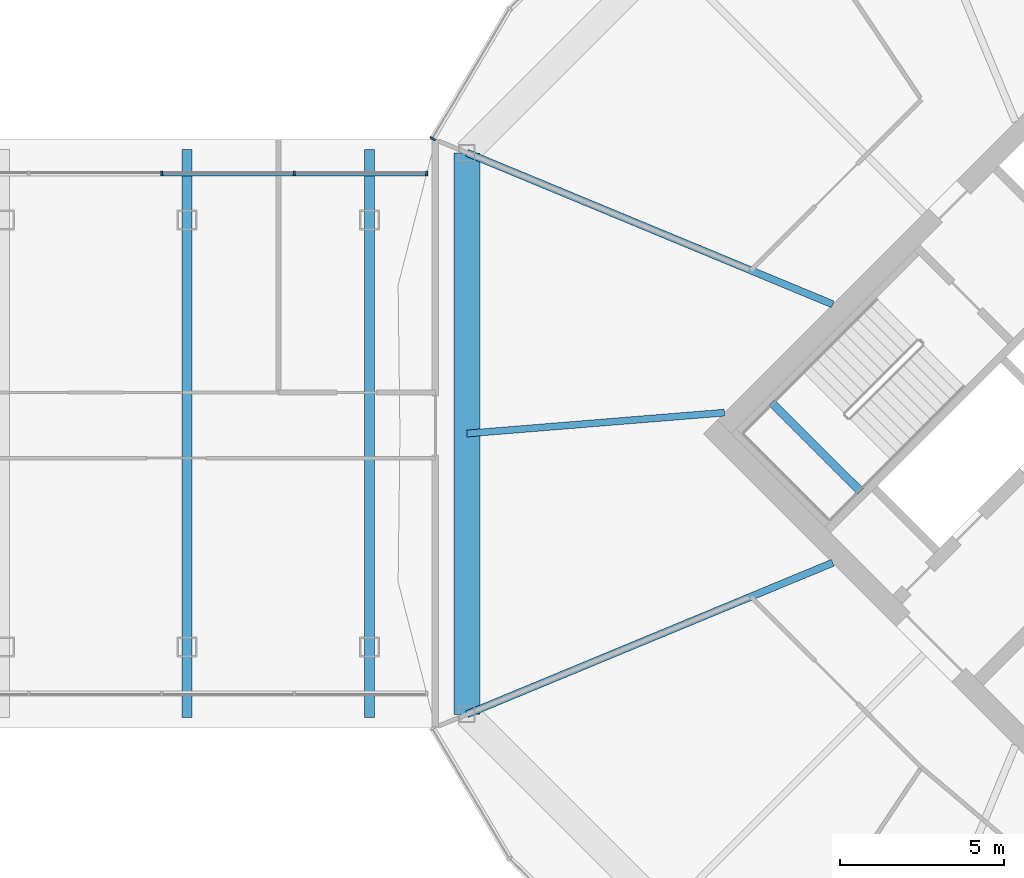
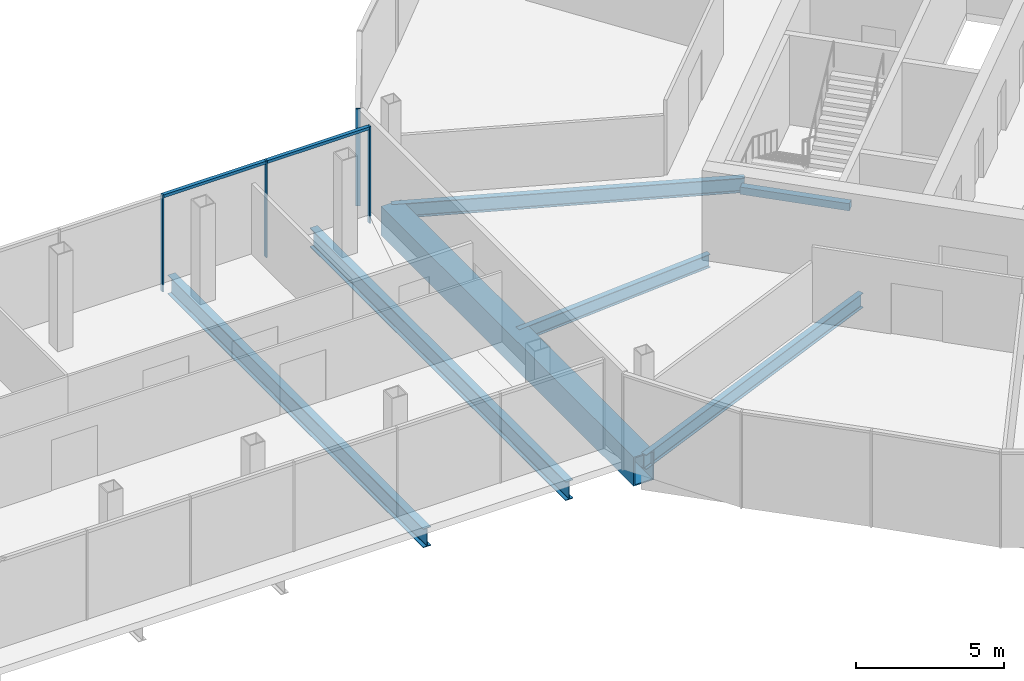
# One storey, part 13 of 25: 7 beams, 6 members, 2 elements without a shape of their own.
"""IFC4 building model written with IfcOpenShell, lengths in metres."""

from ifc_helpers import new_model, si_unit, direction, frame, origin, origin_2d, place, context, subcontext, project, spatial, rectangle, hollow_rectangle, i_section, extrude, material, material_profile, profile_set, type_object, element, aggregate, save


model = new_model("IFC4")

# Units and contexts
model_context = context("Model", 3, precision=1e-05, world=origin(), true_north=direction((0.0, 1.0)))
body_context = subcontext(model_context, "Body", "Model", "MODEL_VIEW")
ifc_project = project(units=[si_unit("LENGTHUNIT", "METRE"), si_unit("AREAUNIT", "SQUARE_METRE"), si_unit("VOLUMEUNIT", "CUBIC_METRE"), si_unit("PLANEANGLEUNIT", "RADIAN"), si_unit("MASSUNIT", "GRAM", prefix="KILO")], contexts=[model_context])

# Site, building, storey
site_placement = place(None, origin())
site = spatial("IfcSite", under=ifc_project, at=site_placement, CompositionType="ELEMENT")
building_placement = place(site_placement, origin())
building = spatial("IfcBuilding", under=site, at=building_placement, Name="Ogive Gate Towers", CompositionType="ELEMENT")
storey_placement = place(building_placement, frame((0.0, 0.0, 140.800048828125)))
storey = spatial("IfcBuildingStorey", under=building, at=storey_placement, Name="L33", CompositionType="ELEMENT", Elevation=140.800048828125)

# Beams
ifc_material_1 = material(Name="Steel SM460", Category="steel")
ifc_material_profile_1 = material_profile(ifc_material_1, i_section(OverallWidth=0.300048828125, OverallDepth=0.7900390625, WebThickness=0.014892578125, FlangeThickness=0.028076171875, FilletRadius=0.030029296875, at=origin_2d()), Name="HE 800 A")
ifc_profile_set_1 = profile_set([ifc_material_profile_1], Name="Steel SM460")
beam_type_1 = type_object("IfcBeamType", Name="Block floor beam HE 800 A", PredefinedType="BEAM", material=ifc_profile_set_1)
for number, where, z_axis, x_axis, name in (
    (1, (6.8388671875, -8.647216796875, -0.695068359375), (0.0, 1.0, 0.0), (-1.0, 0.0, 0.0), "BR/L33/SBM004"),
    (2, (12.3955078125, -8.647216796875, -0.695068359375), (0.0, 1.0, 0.0), (-1.0, 0.0, 0.0), "BR/L33/SBM005"),
):
    element("IfcBeam", number, at=place(storey_placement, frame(where, z_axis=z_axis, x_axis=x_axis)), inside=storey, type_object=beam_type_1, Name=name, PredefinedType="BEAM", context=body_context, shape_type="SweptSolid", body=[
        extrude(i_section(OverallWidth=0.300048828125, OverallDepth=0.7900390625, WebThickness=0.014892578125, FlangeThickness=0.028076171875, FilletRadius=0.030029296875, at=origin_2d()), origin(), (0.0, 0.0, 1.0), 17.29443359375),
    ])
ifc_material_profile_2 = material_profile(ifc_material_1, hollow_rectangle(XDim=0.800048828125, YDim=1.199951171875, WallThickness=0.050048828125, at=origin_2d()), Name="BX 1200x800x50")
ifc_profile_set_2 = profile_set([ifc_material_profile_2], Name="Steel SM460")
beam_type_2 = type_object("IfcBeamType", Name="Edge girder BX 1200x800x50", PredefinedType="BEAM", material=ifc_profile_set_2)
beam_1_placement = place(storey_placement, frame((15.360595703125, 8.549072265625, -0.900146484375), z_axis=(0.0, -1.0, 0.0), x_axis=(1.0, 0.0, 0.0)))
element("IfcBeam", 3, at=beam_1_placement, inside=storey, type_object=beam_type_2, Name="T2/L33/SBM024", PredefinedType="BEAM", context=body_context, shape_type="SweptSolid", body=[
    extrude(hollow_rectangle(XDim=0.800048828125, YDim=1.199951171875, WallThickness=0.050048828125, at=origin_2d()), origin(), (0.0, 0.0, 1.0), 17.09814453125),
])

# Curtain wall, members
ifc_material_2 = material(Name="Pale metal aluminium", Category="aluminium")
curtain_wall_type_1 = type_object("IfcCurtainWallType", Name="Gate block facade", PredefinedType="NOTDEFINED", material=ifc_material_2)
curtain_wall_1_placement = place(storey_placement, origin())
curtain_wall_1 = element("IfcCurtainWall", 4, at=curtain_wall_1_placement, inside=storey, type_object=curtain_wall_type_1, Name="CW3 BR ECW02", PredefinedType="NOTDEFINED")
ifc_material_profile_3 = material_profile(ifc_material_2, rectangle(XDim=0.139892578125, YDim=0.06005859375, at=origin_2d()), Name="60 x 140 aluminium box")
ifc_profile_set_3 = profile_set([ifc_material_profile_3], Name="Pale metal aluminium")
member_type_1 = type_object("IfcMemberType", Name="Gate block facade mullion 60 x 140", PredefinedType="MULLION", material=ifc_profile_set_3)
member_1_placement = place(storey_placement, frame((14.143310546875, 7.9169921875, -0.300048828125), z_axis=(0.0, 0.0, 1.0), x_axis=(0.0, 1.0, 0.0)))
member_1 = element("IfcMember", 5, at=member_1_placement, type_object=member_type_1, Name="CW3 mullion", PredefinedType="MULLION", context=body_context, shape_type="SweptSolid", body=[
    extrude(rectangle(XDim=0.139892578125, YDim=0.06005859375, at=origin_2d()), origin(), (0.0, 0.0, 1.0), 4.0),
])
member_2_placement = place(storey_placement, frame((10.102294921875, 7.9169921875, -0.300048828125), z_axis=(0.0, 0.0, 1.0), x_axis=(0.0, 1.0, 0.0)))
member_2 = element("IfcMember", 6, at=member_2_placement, type_object=member_type_1, Name="CW3 mullion", PredefinedType="MULLION", context=body_context, shape_type="SweptSolid", body=[
    extrude(rectangle(XDim=0.139892578125, YDim=0.06005859375, at=origin_2d()), origin(), (0.0, 0.0, 1.0), 4.0),
])
member_3_placement = place(storey_placement, frame((6.061279296875, 7.9169921875, -0.300048828125), z_axis=(0.0, 0.0, 1.0), x_axis=(0.0, 1.0, 0.0)))
member_3 = element("IfcMember", 7, at=member_3_placement, type_object=member_type_1, Name="CW3 mullion", PredefinedType="MULLION", context=body_context, shape_type="SweptSolid", body=[
    extrude(rectangle(XDim=0.139892578125, YDim=0.06005859375, at=origin_2d()), origin(), (0.0, 0.0, 1.0), 4.0),
])
ifc_material_profile_4 = material_profile(ifc_material_2, rectangle(XDim=0.139892578125, YDim=0.1201171875, at=origin_2d()), Name="120 x 140 aluminium box")
ifc_profile_set_4 = profile_set([ifc_material_profile_4], Name="Pale metal aluminium")
member_type_2 = type_object("IfcMemberType", Name="Gate block facade transom 120 x 140", PredefinedType="USERDEFINED", material=ifc_profile_set_4)
member_4_placement = place(storey_placement, frame((14.11328125, 7.9169921875, 3.639892578125), z_axis=(-1.0, 0.0, 0.0), x_axis=(0.0, -1.0, 0.0)))
member_4 = element("IfcMember", 8, at=member_4_placement, type_object=member_type_2, Name="CW3 transom", ObjectType="TRANSOM", PredefinedType="USERDEFINED", context=body_context, shape_type="SweptSolid", body=[
    extrude(rectangle(XDim=0.139892578125, YDim=0.1201171875, at=origin_2d()), origin(), (0.0, 0.0, 1.0), 3.98095703125),
])
member_5_placement = place(storey_placement, frame((10.072509765625, 7.9169921875, 3.639892578125), z_axis=(-1.0, 0.0, 0.0), x_axis=(0.0, -1.0, 0.0)))
member_5 = element("IfcMember", 9, at=member_5_placement, type_object=member_type_2, Name="CW3 transom", ObjectType="TRANSOM", PredefinedType="USERDEFINED", context=body_context, shape_type="SweptSolid", body=[
    extrude(rectangle(XDim=0.139892578125, YDim=0.1201171875, at=origin_2d()), origin(), (0.0, 0.0, 1.0), 3.981201171875),
])
aggregate(curtain_wall_1, [member_1, member_2, member_4, member_3, member_5])

# Beams
ifc_material_3 = material(Name="Concrete C40/50", Category="concrete")
ifc_material_profile_5 = material_profile(ifc_material_3, rectangle(XDim=0.25, YDim=0.300048828125, at=origin_2d()), Name="RC 250x300")
ifc_profile_set_5 = profile_set([ifc_material_profile_5], Name="Concrete C40/50")
beam_type_3 = type_object("IfcBeamType", Name="Landing bearer RC 250x300", PredefinedType="BEAM", material=ifc_profile_set_5)
beam_2_placement = place(storey_placement, frame((24.64111328125, 0.94482421875, 1.64990234375), z_axis=(0.707138693938, -0.707074866995, 0.0), x_axis=(0.707074866995, 0.707138693938, 0.0)))
element("IfcBeam", 10, at=beam_2_placement, inside=storey, type_object=beam_type_3, Name="T2 L33 stair 1 landing bearer 1", PredefinedType="BEAM", context=body_context, shape_type="SweptSolid", body=[
    extrude(rectangle(XDim=0.25, YDim=0.300048828125, at=origin_2d()), origin(), (0.0, 0.0, 1.0), 3.824951171875),
])
ifc_material_4 = material(Name="Steel SM355", Category="steel")
ifc_material_profile_6 = material_profile(ifc_material_4, i_section(OverallWidth=0.2099609375, OverallDepth=0.550048828125, WebThickness=0.010986328125, FlangeThickness=0.01708984375, FilletRadius=0.02392578125, at=origin_2d()), Name="IPE 550")
ifc_profile_set_6 = profile_set([ifc_material_profile_6], Name="Steel SM355")
beam_type_4 = type_object("IfcBeamType", Name="Radial floor beam IPE 550", PredefinedType="BEAM", material=ifc_profile_set_6)
beam_3_placement = place(storey_placement, frame((23.201416015625, 0.636474609375, -0.574951171875), z_axis=(-0.996721544062, -0.080908365468, 0.0), x_axis=(0.080908365468, -0.996721544062, 0.0)))
element("IfcBeam", 11, at=beam_3_placement, inside=storey, type_object=beam_type_4, Name="T2/L33/SBM016", PredefinedType="BEAM", context=body_context, shape_type="SweptSolid", body=[
    extrude(i_section(OverallWidth=0.2099609375, OverallDepth=0.550048828125, WebThickness=0.010986328125, FlangeThickness=0.01708984375, FilletRadius=0.02392578125, at=origin_2d()), origin(), (0.0, 0.0, 1.0), 7.86669921875),
])
ifc_material_profile_7 = material_profile(ifc_material_4, i_section(OverallWidth=0.219970703125, OverallDepth=0.60009765625, WebThickness=0.011962890625, FlangeThickness=0.01904296875, FilletRadius=0.02392578125, at=origin_2d()), Name="IPE 600")
ifc_profile_set_7 = profile_set([ifc_material_profile_7], Name="Steel SM355")
beam_type_5 = type_object("IfcBeamType", Name="Radial floor beam IPE 600", PredefinedType="BEAM", material=ifc_profile_set_7)
for number, where, z_axis, x_axis, name in (
    (12, (26.5, -3.93505859375, -0.60009765625), (-0.923881839184, -0.382677863518, 0.0), (0.382677863518, -0.923881839184, 0.0), "T2/L33/SBM001"),
    (13, (26.5, 3.93505859375, -0.60009765625), (-0.923881839184, 0.382677863518, 0.0), (-0.382677863518, -0.923881839184, 0.0), "T2/L33/SBM015"),
):
    element("IfcBeam", number, at=place(storey_placement, frame(where, z_axis=z_axis, x_axis=x_axis)), inside=storey, type_object=beam_type_5, Name=name, PredefinedType="BEAM", context=body_context, shape_type="SweptSolid", body=[
        extrude(i_section(OverallWidth=0.219970703125, OverallDepth=0.60009765625, WebThickness=0.011962890625, FlangeThickness=0.01904296875, FilletRadius=0.02392578125, at=origin_2d()), origin(), (0.0, 0.0, 1.0), 12.05712890625),
    ])

# Curtain wall, member
curtain_wall_type_2 = type_object("IfcCurtainWallType", Name="Tower unitised wall, high zone", PredefinedType="NOTDEFINED", material=ifc_material_2)
curtain_wall_2_placement = place(storey_placement, origin())
curtain_wall_2 = element("IfcCurtainWall", 14, at=curtain_wall_2_placement, inside=storey, type_object=curtain_wall_type_2, Name="CW2 T2 ECW04", PredefinedType="NOTDEFINED")
ifc_material_profile_8 = material_profile(ifc_material_2, rectangle(XDim=0.179931640625, YDim=0.06005859375, at=origin_2d()), Name="60 x 180 aluminium box")
ifc_profile_set_8 = profile_set([ifc_material_profile_8], Name="Pale metal aluminium")
member_type_3 = type_object("IfcMemberType", Name="Tower unitised wall, high zone mullion 60 x 180", PredefinedType="MULLION", material=ifc_profile_set_8)
member_6_placement = place(storey_placement, frame((14.31494140625, 8.980712890625, -0.300048828125), z_axis=(0.0, 0.0, 1.0), x_axis=(-0.860546505685, 0.509371879429, 0.0)))
member_6 = element("IfcMember", 15, at=member_6_placement, type_object=member_type_3, Name="CW2 mullion", PredefinedType="MULLION", context=body_context, shape_type="SweptSolid", body=[
    extrude(rectangle(XDim=0.179931640625, YDim=0.06005859375, at=origin_2d()), origin(), (0.0, 0.0, 1.0), 4.0),
])
aggregate(curtain_wall_2, [member_6])

save(model, "model.ifc")
